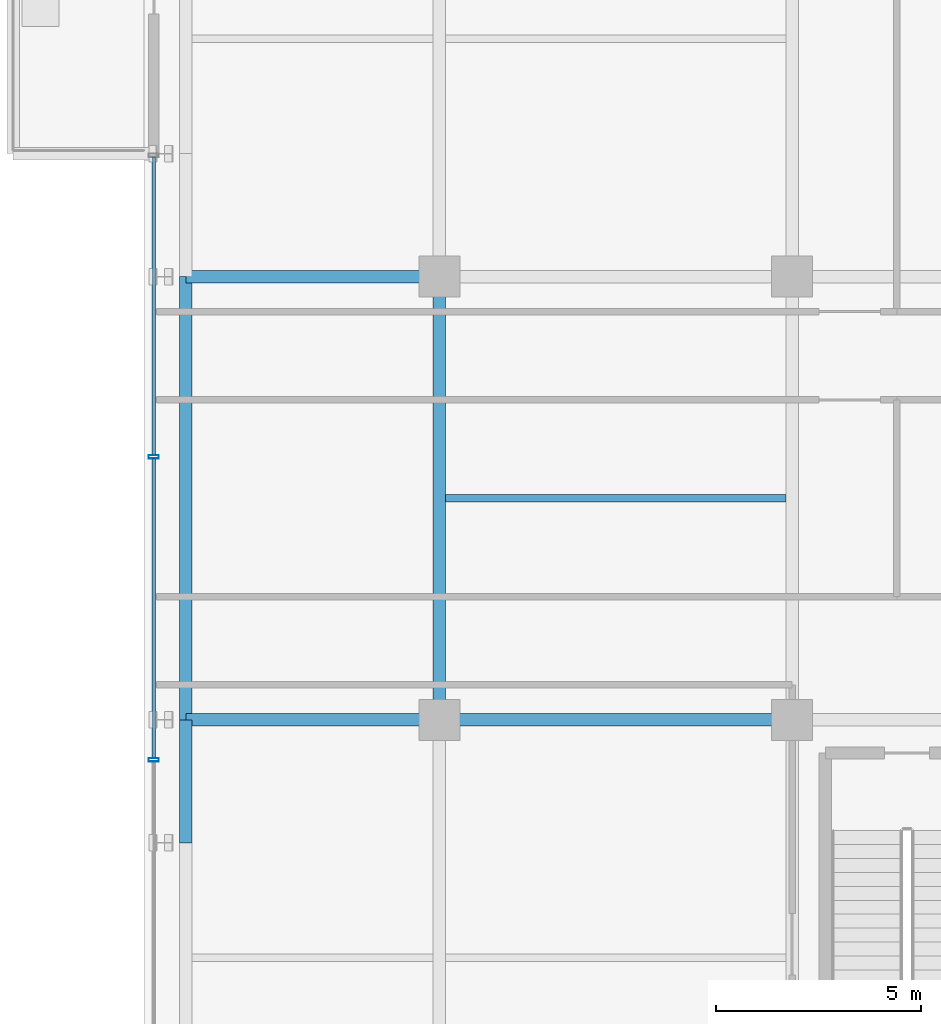
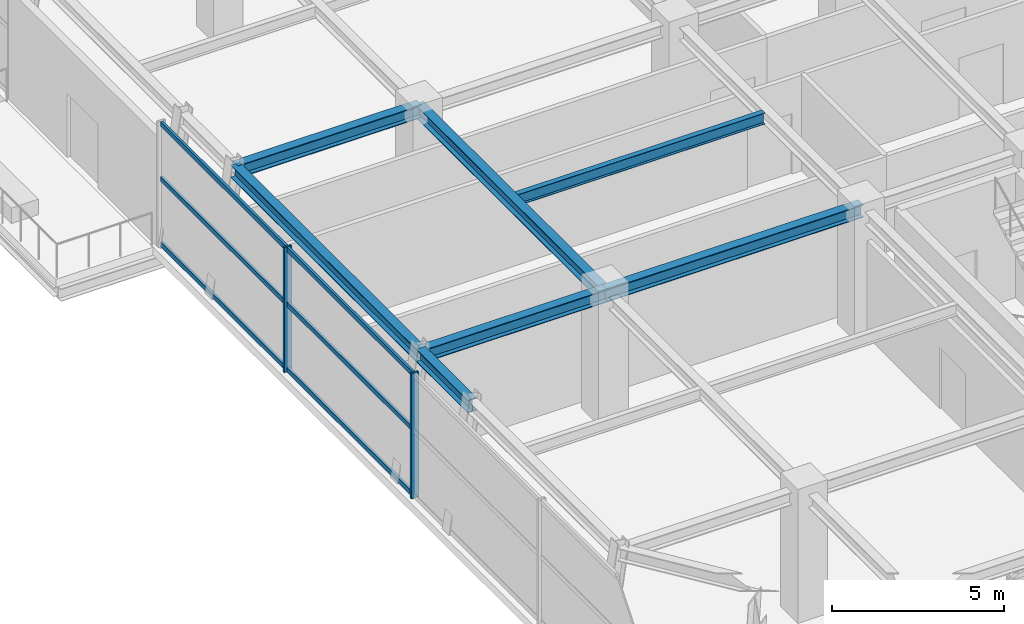
# One storey, part 6 of 28: 8 members, 7 beams, 1 element without a shape of its own.
"""IFC4 building model written with IfcOpenShell, lengths in metres."""

from ifc_helpers import new_model, si_unit, direction, frame, origin, origin_2d, place, context, subcontext, project, spatial, hollow_rectangle, i_section, extrude, source, transform, mapped, material, material_profile, profile_set, type_object, element, aggregate, save


model = new_model("IFC4")

# Units and contexts
model_context = context("Model", 3, precision=1e-05, world=origin(), true_north=direction((0.0, 1.0)))
body_context = subcontext(model_context, "Body", "Model", "MODEL_VIEW")
ifc_project = project(units=[si_unit("LENGTHUNIT", "METRE"), si_unit("AREAUNIT", "SQUARE_METRE"), si_unit("VOLUMEUNIT", "CUBIC_METRE"), si_unit("PLANEANGLEUNIT", "RADIAN"), si_unit("MASSUNIT", "GRAM", prefix="KILO")], contexts=[model_context])

# Site, building, storey
site_placement = place(None, origin())
site = spatial("IfcSite", under=ifc_project, at=site_placement, CompositionType="ELEMENT")
building_placement = place(site_placement, origin())
building = spatial("IfcBuilding", under=site, at=building_placement, Name="Nahalor Promenade Grand Hotel", CompositionType="ELEMENT")
storey_placement = place(building_placement, frame((0.0, 0.0, 256.699951171875)))
storey = spatial("IfcBuildingStorey", under=building, at=storey_placement, Name="L66", CompositionType="ELEMENT", Elevation=256.699951171875)

# Beams
ifc_material_1 = material(Name="Steel S355JR", Category="steel")
ifc_material_profile_1 = material_profile(ifc_material_1, i_section(OverallWidth=0.3, OverallDepth=0.45, WebThickness=0.014, FlangeThickness=0.026, at=origin_2d()), Name="HEB 450")
ifc_profile_set_1 = profile_set([ifc_material_profile_1], Name="Steel S355JR")
beam_type_1 = type_object("IfcBeamType", Name="Beam-Spandrel-HEB450", PredefinedType="SPANDREL", material=ifc_profile_set_1)
shared_shape_1 = source(origin(), body_context, "Body", "SweptSolid", [
    extrude(i_section(OverallWidth=0.3, OverallDepth=0.45, WebThickness=0.014, FlangeThickness=0.026, at=origin_2d()), origin(), (0.0, 0.0, 1.0), 3.0),
])
beam_1_placement = place(storey_placement, frame((-23.179931640625, -8.39990234375, 4.215087890625), z_axis=(0.0, 1.0, 0.0), x_axis=(-1.0, 0.0, 0.0)))
element("IfcBeam", 1, at=beam_1_placement, inside=storey, type_object=beam_type_1, Name="BM-L66-SP-W-1", PredefinedType="SPANDREL", context=body_context, shape_type="MappedRepresentation", body=[
    mapped(shared_shape_1, transform((0.0, 0.0, 0.0), scale=1.0)),
])
shared_shape_2 = source(origin(), body_context, "Body", "SweptSolid", [
    extrude(i_section(OverallWidth=0.3, OverallDepth=0.45, WebThickness=0.014, FlangeThickness=0.026, at=origin_2d()), origin(), (0.0, 0.0, 1.0), 10.7998046875),
])
beam_2_placement = place(storey_placement, frame((-23.179931640625, -5.39990234375, 4.215087890625), z_axis=(0.0, 1.0, 0.0), x_axis=(-1.0, 0.0, 0.0)))
element("IfcBeam", 2, at=beam_2_placement, inside=storey, type_object=beam_type_1, Name="BM-L66-SP-W-2", PredefinedType="SPANDREL", context=body_context, shape_type="MappedRepresentation", body=[
    mapped(shared_shape_2, transform((0.0, 0.0, 0.0), scale=1.0)),
])
ifc_material_profile_2 = material_profile(ifc_material_1, i_section(OverallWidth=0.3, OverallDepth=0.45, WebThickness=0.014, FlangeThickness=0.026, at=origin_2d()), Name="HEB 450")
ifc_profile_set_2 = profile_set([ifc_material_profile_2], Name="Steel S355JR")
beam_type_2 = type_object("IfcBeamType", Name="Beam-Girder-HEB450", PredefinedType="BEAM", material=ifc_profile_set_2)
shared_shape_3 = source(origin(), body_context, "Body", "SweptSolid", [
    extrude(i_section(OverallWidth=0.3, OverallDepth=0.45, WebThickness=0.014, FlangeThickness=0.026, at=origin_2d()), origin(), (0.0, 0.0, 1.0), 8.60009765625),
])
beam_3_placement = place(storey_placement, frame((-17.0, -5.39990234375, 4.215087890625), z_axis=(1.0, 0.0, 0.0), x_axis=(0.0, 1.0, 0.0)))
element("IfcBeam", 3, at=beam_3_placement, inside=storey, type_object=beam_type_2, Name="BM-L66-GX-1-1", PredefinedType="BEAM", context=body_context, shape_type="MappedRepresentation", body=[
    mapped(shared_shape_3, transform((0.0, 0.0, 0.0), scale=1.0)),
])
shared_shape_4 = source(origin(), body_context, "Body", "SweptSolid", [
    extrude(i_section(OverallWidth=0.3, OverallDepth=0.45, WebThickness=0.014, FlangeThickness=0.026, at=origin_2d()), origin(), (0.0, 0.0, 1.0), 10.7998046875),
])
beam_4_placement = place(storey_placement, frame((-17.0, -5.39990234375, 4.215087890625), z_axis=(0.0, 1.0, 0.0), x_axis=(-1.0, 0.0, 0.0)))
element("IfcBeam", 4, at=beam_4_placement, inside=storey, type_object=beam_type_2, Name="BM-L66-GY-0-2", PredefinedType="BEAM", context=body_context, shape_type="MappedRepresentation", body=[
    mapped(shared_shape_4, transform((0.0, 0.0, 0.0), scale=1.0)),
])
ifc_material_profile_3 = material_profile(ifc_material_1, i_section(OverallWidth=0.18, OverallDepth=0.4, WebThickness=0.0086, FlangeThickness=0.0135, at=origin_2d()), Name="IPE 400")
ifc_profile_set_3 = profile_set([ifc_material_profile_3], Name="Steel S355JR")
beam_type_3 = type_object("IfcBeamType", Name="Beam-Joist-IPE400", PredefinedType="JOIST", material=ifc_profile_set_3)
shared_shape_5 = source(origin(), body_context, "Body", "SweptSolid", [
    extrude(i_section(OverallWidth=0.18, OverallDepth=0.4, WebThickness=0.0086, FlangeThickness=0.0135, at=origin_2d()), origin(), (0.0, 0.0, 1.0), 8.300048828125),
])
beam_5_placement = place(storey_placement, frame((-16.85009765625, 0.0, 4.239990234375), z_axis=(1.0, 0.0, 0.0), x_axis=(0.0, 1.0, 0.0)))
element("IfcBeam", 5, at=beam_5_placement, inside=storey, type_object=beam_type_3, Name="BM-L66-JSC-0", PredefinedType="JOIST", context=body_context, shape_type="MappedRepresentation", body=[
    mapped(shared_shape_5, transform((0.0, 0.0, 0.0), scale=1.0)),
])
shared_shape_6 = source(origin(), body_context, "Body", "SweptSolid", [
    extrude(i_section(OverallWidth=0.3, OverallDepth=0.45, WebThickness=0.014, FlangeThickness=0.026, at=origin_2d()), origin(), (0.0, 0.0, 1.0), 6.179931640625),
])
for number, where, z_axis, x_axis, name in (
    (6, (-23.179931640625, -5.39990234375, 4.215087890625), (1.0, 0.0, 0.0), (0.0, 1.0, 0.0), "BM-L66-GX-1-0"),
    (7, (-23.179931640625, 5.39990234375, 4.215087890625), (1.0, 0.0, 0.0), (0.0, 1.0, 0.0), "BM-L66-GX-2-0"),
):
    element("IfcBeam", number, at=place(storey_placement, frame(where, z_axis=z_axis, x_axis=x_axis)), inside=storey, type_object=beam_type_2, Name=name, PredefinedType="BEAM", context=body_context, shape_type="MappedRepresentation", body=[
        mapped(shared_shape_6, transform((0.0, 0.0, 0.0), scale=1.0)),
    ])

# Curtain wall, members
ifc_material_2 = material(Name="Anodised Bronze Aluminium EN AW-6063 T6", Category="aluminium")
curtain_wall_type = type_object("IfcCurtainWallType", Name="CW5 Sky-Lobby & Observation Panoramic Curtain Wall", PredefinedType="USERDEFINED", material=ifc_material_2)
curtain_wall_placement = place(storey_placement, origin())
curtain_wall = element("IfcCurtainWall", 8, at=curtain_wall_placement, inside=storey, type_object=curtain_wall_type, Name="L66 Curtain Wall CW-L66-W-1", ObjectType="UNITISED_CURTAIN_WALL", PredefinedType="USERDEFINED")
ifc_material_profile_4 = material_profile(ifc_material_2, hollow_rectangle(XDim=0.085, YDim=0.25, WallThickness=0.006, at=origin_2d()), Name="CWM 85x250x6")
ifc_profile_set_4 = profile_set([ifc_material_profile_4], Name="Anodised Bronze Aluminium EN AW-6063 T6")
member_type_1 = type_object("IfcMemberType", Name="CWM5 Panoramic Deep Mullion 85x250", PredefinedType="MULLION", material=ifc_profile_set_4)
shared_shape_7 = source(origin(), body_context, "Body", "SweptSolid", [
    extrude(hollow_rectangle(XDim=0.085, YDim=0.25, WallThickness=0.006, at=origin_2d()), origin(), (0.0, 0.0, 1.0), 4.43994140625),
])
member_1_placement = place(storey_placement, frame((-23.9599609375, -6.3798828125, 0.0), z_axis=(0.0, 0.0, 1.0), x_axis=(0.0, 1.0, 0.0)))
member_1 = element("IfcMember", 9, at=member_1_placement, type_object=member_type_1, Name="CW-L66-W-1 Mullion 2", PredefinedType="MULLION", context=body_context, shape_type="MappedRepresentation", body=[
    mapped(shared_shape_7, transform((0.0, 0.0, 0.0), scale=1.0)),
])
member_2_placement = place(storey_placement, frame((-23.9599609375, 1.010009765625, 0.0), z_axis=(0.0, 0.0, 1.0), x_axis=(0.0, 1.0, 0.0)))
member_2 = element("IfcMember", 10, at=member_2_placement, type_object=member_type_1, Name="CW-L66-W-1 Mullion 3", PredefinedType="MULLION", context=body_context, shape_type="MappedRepresentation", body=[
    mapped(shared_shape_7, transform((0.0, 0.0, 0.0), scale=1.0)),
])
ifc_material_profile_5 = material_profile(ifc_material_2, hollow_rectangle(XDim=0.085, YDim=0.17, WallThickness=0.005, at=origin_2d()), Name="CWT 85x170x5")
ifc_profile_set_5 = profile_set([ifc_material_profile_5], Name="Anodised Bronze Aluminium EN AW-6063 T6")
member_type_2 = type_object("IfcMemberType", Name="CWT5 Panoramic Transom 85x170", PredefinedType="USERDEFINED", material=ifc_profile_set_5)
shared_shape_8 = source(origin(), body_context, "Body", "SweptSolid", [
    extrude(hollow_rectangle(XDim=0.085, YDim=0.17, WallThickness=0.005, at=origin_2d()), origin(), (0.0, 0.0, 1.0), 7.262451171875),
])
member_3_placement = place(storey_placement, frame((-23.9599609375, 1.052490234375, 0.0849609375), z_axis=(0.0, 1.0, 0.0), x_axis=(-1.0, 0.0, 0.0)))
member_3 = element("IfcMember", 11, at=member_3_placement, type_object=member_type_2, Name="CW-L66-W-1 Transom 3-0", ObjectType="TRANSOM", PredefinedType="USERDEFINED", context=body_context, shape_type="MappedRepresentation", body=[
    mapped(shared_shape_8, transform((0.0, 0.0, 0.0), scale=1.0)),
])
member_4_placement = place(storey_placement, frame((-23.9599609375, 1.052490234375, 2.400146484375), z_axis=(0.0, 1.0, 0.0), x_axis=(-1.0, 0.0, 0.0)))
member_4 = element("IfcMember", 12, at=member_4_placement, type_object=member_type_2, Name="CW-L66-W-1 Transom 3-1", ObjectType="TRANSOM", PredefinedType="USERDEFINED", context=body_context, shape_type="MappedRepresentation", body=[
    mapped(shared_shape_8, transform((0.0, 0.0, 0.0), scale=1.0)),
])
member_5_placement = place(storey_placement, frame((-23.9599609375, 1.052490234375, 4.35498046875), z_axis=(0.0, 1.0, 0.0), x_axis=(-1.0, 0.0, 0.0)))
member_5 = element("IfcMember", 13, at=member_5_placement, type_object=member_type_2, Name="CW-L66-W-1 Transom 3-2", ObjectType="TRANSOM", PredefinedType="USERDEFINED", context=body_context, shape_type="MappedRepresentation", body=[
    mapped(shared_shape_8, transform((0.0, 0.0, 0.0), scale=1.0)),
])
shared_shape_9 = source(origin(), body_context, "Body", "SweptSolid", [
    extrude(hollow_rectangle(XDim=0.085, YDim=0.17, WallThickness=0.005, at=origin_2d()), origin(), (0.0, 0.0, 1.0), 7.304931640625),
])
member_6_placement = place(storey_placement, frame((-23.9599609375, -6.33740234375, 0.0849609375), z_axis=(0.0, 1.0, 0.0), x_axis=(-1.0, 0.0, 0.0)))
member_6 = element("IfcMember", 14, at=member_6_placement, type_object=member_type_2, Name="CW-L66-W-1 Transom 2-0", ObjectType="TRANSOM", PredefinedType="USERDEFINED", context=body_context, shape_type="MappedRepresentation", body=[
    mapped(shared_shape_9, transform((0.0, 0.0, 0.0), scale=1.0)),
])
member_7_placement = place(storey_placement, frame((-23.9599609375, -6.33740234375, 2.400146484375), z_axis=(0.0, 1.0, 0.0), x_axis=(-1.0, 0.0, 0.0)))
member_7 = element("IfcMember", 15, at=member_7_placement, type_object=member_type_2, Name="CW-L66-W-1 Transom 2-1", ObjectType="TRANSOM", PredefinedType="USERDEFINED", context=body_context, shape_type="MappedRepresentation", body=[
    mapped(shared_shape_9, transform((0.0, 0.0, 0.0), scale=1.0)),
])
member_8_placement = place(storey_placement, frame((-23.9599609375, -6.33740234375, 4.35498046875), z_axis=(0.0, 1.0, 0.0), x_axis=(-1.0, 0.0, 0.0)))
member_8 = element("IfcMember", 16, at=member_8_placement, type_object=member_type_2, Name="CW-L66-W-1 Transom 2-2", ObjectType="TRANSOM", PredefinedType="USERDEFINED", context=body_context, shape_type="MappedRepresentation", body=[
    mapped(shared_shape_9, transform((0.0, 0.0, 0.0), scale=1.0)),
])
aggregate(curtain_wall, [member_1, member_2, member_6, member_7, member_8, member_3, member_4, member_5])

save(model, "model.ifc")
